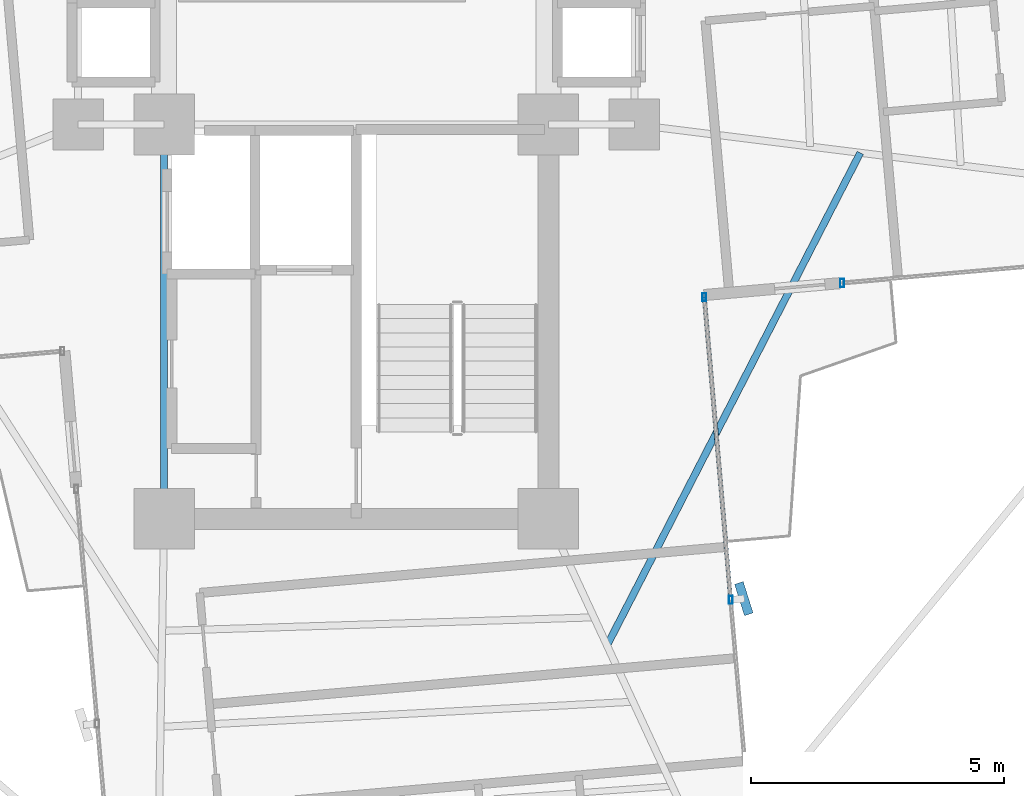
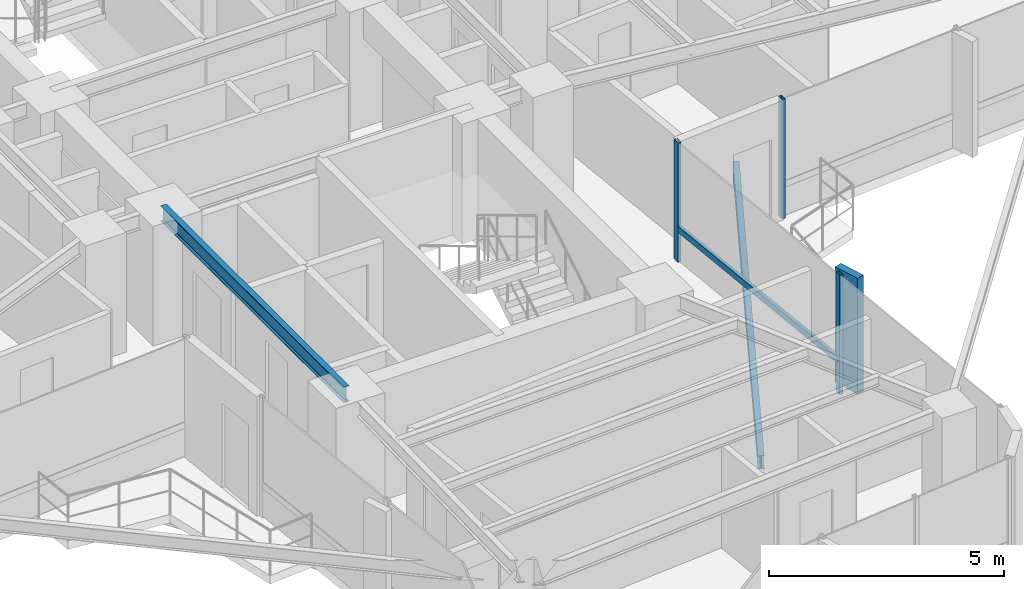
# One storey, part 7 of 24: 5 members, 2 beams, 2 elements without a shape of their own.
"""IFC4 building model written with IfcOpenShell, lengths in metres."""

import ifcopenshell
import ifcopenshell.guid

model = None  # the IFC model being written
_history = None  # IfcOwnerHistory: only IFC2X3 demands one
_inside = {}  # id of a spatial element -> (the spatial element, [elements in it])
_under = {}  # id of a project, library or spatial element -> (it, [spatial elements below it])
_declared = {}  # id of a project -> (the project, [libraries it declares])
_typed = {}  # id of a type object -> (the type object, [elements of that type])
_made_of = {}  # id of a material, layer set ... -> (it, [elements and type objects made of it])


def new_model(schema):
    """Start an empty IFC model of exactly this schema.

    Asked for "IFC4X3", IfcOpenShell would pick the latest addendum, in which some entities
    have other attributes; the version numbers below select the first issue.
    IFC2X3 requires an IfcOwnerHistory on every rooted entity: one is made here for all.
    """
    global model, _history
    if schema == "IFC4X3":
        model = ifcopenshell.file(schema_version=(4, 3, 0, 0))
    else:
        model = ifcopenshell.file(schema=schema)
    _inside.clear()
    _under.clear()
    _declared.clear()
    _typed.clear()
    _made_of.clear()
    _history = None
    if model.schema == "IFC2X3":
        org = make("IfcOrganization", Name="unknown")
        user = make(
            "IfcPersonAndOrganization",
            ThePerson=make("IfcPerson", FamilyName="unknown"),
            TheOrganization=org,
        )
        app = make(
            "IfcApplication",
            ApplicationDeveloper=org,
            Version="unknown",
            ApplicationFullName="unknown",
            ApplicationIdentifier="unknown",
        )
        _history = make(
            "IfcOwnerHistory",
            OwningUser=user,
            OwningApplication=app,
            ChangeAction="ADDED",
            CreationDate=0,
        )
    return model


def make(cls, **values):
    """One entity of the class cls with the attributes given. An attribute that is None is left unset."""
    return model.create_entity(
        cls, **{name: value for name, value in values.items() if value is not None}
    )


def rooted(cls, **values):
    """An entity with a GlobalId (a new one), such as an element, a storey or a relation."""
    return make(cls, GlobalId=ifcopenshell.guid.new(), OwnerHistory=_history, **values)


def si_unit(unit_type, name, prefix=None):
    """IfcSIUnit, for example si_unit("LENGTHUNIT", "METRE", prefix="MILLI")."""
    return make("IfcSIUnit", UnitType=unit_type, Prefix=prefix, Name=name)


def assignment(units):
    """IfcUnitAssignment: the units of a project."""
    return None if units is None else make("IfcUnitAssignment", Units=units)


def point(xyz):
    """IfcCartesianPoint."""
    return None if xyz is None else make("IfcCartesianPoint", Coordinates=xyz)


def direction(xyz):
    """IfcDirection."""
    return None if xyz is None else make("IfcDirection", DirectionRatios=xyz)


def frame(location, z_axis=None, x_axis=None):
    """IfcAxis2Placement3D, a coordinate frame: its origin and axes. An axis left out is left unset."""
    return make(
        "IfcAxis2Placement3D",
        Location=point(location),
        Axis=direction(z_axis),
        RefDirection=direction(x_axis),
    )


def frame_2d(location, x_axis=None):
    """IfcAxis2Placement2D, a coordinate frame in the plane: its origin and x axis."""
    return make(
        "IfcAxis2Placement2D", Location=point(location), RefDirection=direction(x_axis)
    )


def origin():
    """The frame at (0, 0, 0) with its axes left unset."""
    return frame((0.0, 0.0, 0.0))


def origin_2d():
    """The frame at (0, 0) in the plane with its x axis left unset."""
    return frame_2d((0.0, 0.0))


def place(relative_to, where):
    """IfcLocalPlacement: puts the frame where relative to a parent placement (None: the world)."""
    return make(
        "IfcLocalPlacement", PlacementRelTo=relative_to, RelativePlacement=where
    )


def context(
    kind, dimensions, precision=None, world=None, true_north=None, identifier=None
):
    """IfcGeometricRepresentationContext, for example the 3D "Model" context."""
    return make(
        "IfcGeometricRepresentationContext",
        ContextIdentifier=identifier,
        ContextType=kind,
        CoordinateSpaceDimension=dimensions,
        Precision=precision,
        WorldCoordinateSystem=world,
        TrueNorth=true_north,
    )


def subcontext(parent, identifier, kind, view, scale=None):
    """IfcGeometricRepresentationSubContext, for example "Body" below "Model"."""
    return make(
        "IfcGeometricRepresentationSubContext",
        ContextIdentifier=identifier,
        ContextType=kind,
        ParentContext=parent,
        TargetScale=scale,
        TargetView=view,
    )


def project(units=None, contexts=None):
    """IfcProject with its units and contexts."""
    return rooted(
        "IfcProject",
        Name="project",
        RepresentationContexts=contexts,
        UnitsInContext=assignment(units),
    )


def spatial(cls, under=None, at=None, **own):
    """A site, building, storey or space (cls), placed at a placement, below another one or the project."""
    s = rooted(cls, ObjectPlacement=at, **own)
    if under is not None:
        _under.setdefault(under.id(), (under, []))[1].append(s)
    return s


def profile(cls, at=None, kind="AREA", **sizes):
    """A parametric profile (cls). Its sizes go by their IFC names, for example OverallWidth=200.0."""
    return make(cls, ProfileType=kind, Position=at, **sizes)


def rectangle(**sizes):
    """IfcRectangleProfileDef."""
    return profile("IfcRectangleProfileDef", **sizes)


def hollow_rectangle(**sizes):
    """IfcRectangleHollowProfileDef."""
    return profile("IfcRectangleHollowProfileDef", **sizes)


def i_section(**sizes):
    """IfcIShapeProfileDef."""
    return profile("IfcIShapeProfileDef", **sizes)


def extrude(swept, where, along, depth):
    """IfcExtrudedAreaSolid: the profile swept, set in the frame where, extruded along a direction by depth."""
    return make(
        "IfcExtrudedAreaSolid",
        SweptArea=swept,
        Position=where,
        ExtrudedDirection=direction(along),
        Depth=depth,
    )


def shape(context_of_items, identifier, shape_type, items):
    """IfcShapeRepresentation: the items that make up one representation, for example the "Body"."""
    return make(
        "IfcShapeRepresentation",
        ContextOfItems=context_of_items,
        RepresentationIdentifier=identifier,
        RepresentationType=shape_type,
        Items=items,
    )


def source(mapping_origin, context_of_items, identifier, shape_type, items):
    """IfcRepresentationMap: a shape defined once, which mapped items show again and again."""
    return make(
        "IfcRepresentationMap",
        MappingOrigin=mapping_origin,
        MappedRepresentation=shape(context_of_items, identifier, shape_type, items),
    )


def transform(
    local_origin,
    x_axis=None,
    y_axis=None,
    z_axis=None,
    scale=None,
    scale2=None,
    scale3=None,
    uniform=True,
):
    """IfcCartesianTransformationOperator3D, or its non-uniform kind. x_axis, y_axis, z_axis: its Axis1, 2, 3."""
    if uniform:
        return make(
            "IfcCartesianTransformationOperator3D",
            Axis1=direction(x_axis),
            Axis2=direction(y_axis),
            LocalOrigin=point(local_origin),
            Scale=scale,
            Axis3=direction(z_axis),
        )
    return make(
        "IfcCartesianTransformationOperator3DnonUniform",
        Axis1=direction(x_axis),
        Axis2=direction(y_axis),
        LocalOrigin=point(local_origin),
        Scale=scale,
        Axis3=direction(z_axis),
        Scale2=scale2,
        Scale3=scale3,
    )


def mapped(mapping_source, mapping_target):
    """IfcMappedItem: shows the shape of a source again, moved by a transform."""
    return make(
        "IfcMappedItem", MappingSource=mapping_source, MappingTarget=mapping_target
    )


def material(Name=None, Category=None):
    """IfcMaterial."""
    return make("IfcMaterial", Name=Name, Category=Category)


def material_profile(
    of_material, cross_section, Name=None, Category=None, Priority=None
):
    """IfcMaterialProfile: a cross section and its material."""
    return make(
        "IfcMaterialProfile",
        Name=Name,
        Material=of_material,
        Profile=cross_section,
        Priority=Priority,
        Category=Category,
    )


def profile_set(profiles, Name=None, composite=None):
    """IfcMaterialProfileSet."""
    return make(
        "IfcMaterialProfileSet",
        Name=Name,
        MaterialProfiles=profiles,
        CompositeProfile=composite,
    )


def made_of(thing, what):
    """Note that an element or type object is made of a material, layer set ...; save() writes the relation."""
    if what is not None:
        _made_of.setdefault(what.id(), (what, []))[1].append(thing)
    return thing


def type_object(cls, material=None, **own):
    """A type object (cls), such as IfcWallType, which elements share."""
    return made_of(rooted(cls, **own), material)


def element(
    cls,
    number,
    at=None,
    inside=None,
    cuts=None,
    type_object=None,
    material=None,
    context=None,
    identifier="Body",
    shape_type=None,
    held_by="IfcProductDefinitionShape",
    body=None,
    shapes=None,
    **own,
):
    """One element of the class cls, such as IfcWall. Its Tag is "e" and its number.

    at: its placement. inside: the storey or other place that contains it. cuts: it is an
    opening in that element (IfcRelVoidsElement). A single representation is given by context,
    identifier, shape_type and body (its items); several are given by shapes. held_by: the class
    of the entity that holds the representations. save() writes the other relations.
    """
    e = rooted(cls, Tag="e%d" % number, ObjectPlacement=at, **own)
    if body is not None:
        shapes = [shape(context, identifier, shape_type, body)]
    if shapes is not None:
        e.Representation = make(held_by, Representations=shapes)
    if inside is not None:
        _inside.setdefault(inside.id(), (inside, []))[1].append(e)
    if cuts is not None:
        rooted(
            "IfcRelVoidsElement", RelatingBuildingElement=cuts, RelatedOpeningElement=e
        )
    if type_object is not None:
        _typed.setdefault(type_object.id(), (type_object, []))[1].append(e)
    return made_of(e, material)


def aggregate(whole, parts):
    """IfcRelAggregates: a whole, such as a stair, and the parts it consists of."""
    return rooted("IfcRelAggregates", RelatingObject=whole, RelatedObjects=parts)


def save(model, path):
    """Write the relations noted so far, then the file.

    IfcRelAggregates (storeys below a building ...), IfcRelContainedInSpatialStructure (elements
    in a storey), IfcRelDefinesByType, IfcRelAssociatesMaterial and IfcRelDeclares: one each for
    every whole, place, type object, material and project.
    """
    for whole, parts in _under.values():
        aggregate(whole, parts)
    for where, things in _inside.values():
        rooted(
            "IfcRelContainedInSpatialStructure",
            RelatedElements=things,
            RelatingStructure=where,
        )
    for kind, things in _typed.values():
        rooted("IfcRelDefinesByType", RelatedObjects=things, RelatingType=kind)
    for what, things in _made_of.values():
        rooted("IfcRelAssociatesMaterial", RelatedObjects=things, RelatingMaterial=what)
    for by, libraries in _declared.values():
        rooted("IfcRelDeclares", RelatingContext=by, RelatedDefinitions=libraries)
    model.write(path)


model = new_model("IFC4")

# Units and contexts
model_context = context("Model", 3, precision=1e-05, world=origin(), true_north=direction((0.0, 1.0)))
body_context = subcontext(model_context, "Body", "Model", "MODEL_VIEW")
ifc_project = project(units=[si_unit("LENGTHUNIT", "METRE"), si_unit("AREAUNIT", "SQUARE_METRE"), si_unit("VOLUMEUNIT", "CUBIC_METRE"), si_unit("PLANEANGLEUNIT", "RADIAN"), si_unit("MASSUNIT", "GRAM", prefix="KILO")], contexts=[model_context])

# Site, building, storey
site_placement = place(None, origin())
site = spatial("IfcSite", under=ifc_project, at=site_placement, CompositionType="ELEMENT")
building_placement = place(site_placement, origin())
building = spatial("IfcBuilding", under=site, at=building_placement, Name="Sahyath Konkavel Grand Hotel", CompositionType="ELEMENT")
storey_placement = place(building_placement, frame((0.0, 0.0, 147.25)))
storey = spatial("IfcBuildingStorey", under=building, at=storey_placement, Name="L40", CompositionType="ELEMENT", Elevation=147.25)

# Beam
ifc_material_1 = material(Name="Steel E350", Category="steel")
ifc_material_profile_1 = material_profile(ifc_material_1, i_section(OverallWidth=0.139892578125, OverallDepth=0.39990234375, WebThickness=0.0087890625, FlangeThickness=0.01611328125, FilletRadius=0.013916015625, at=origin_2d()), Name="ISMB 400")
ifc_profile_set_1 = profile_set([ifc_material_profile_1], Name="Steel E350")
beam_type_1 = type_object("IfcBeamType", Name="BM-ISMB400", PredefinedType="BEAM", material=ifc_profile_set_1)
shared_shape_1 = source(origin(), body_context, "Body", "SweptSolid", [
    extrude(i_section(OverallWidth=0.139892578125, OverallDepth=0.39990234375, WebThickness=0.0087890625, FlangeThickness=0.01611328125, FilletRadius=0.013916015625, at=origin_2d()), origin(), (0.0, 0.0, 1.0), 7.800048828125),
])
beam_1_placement = place(storey_placement, frame((-3.800048828125, -10.199951171875, 2.909912109375), z_axis=(0.0, 1.0, 0.0), x_axis=(-1.0, 0.0, 0.0)))
element("IfcBeam", 1, at=beam_1_placement, inside=storey, type_object=beam_type_1, Name="str:bm:L40:SC-W", PredefinedType="BEAM", context=body_context, shape_type="MappedRepresentation", body=[
    mapped(shared_shape_1, transform((0.0, 0.0, 0.0), scale=1.0)),
])

# Curtain wall, member
ifc_material_2 = material(Name="Anodised Bronze Aluminium & Low-E Glazing", Category="aluminium")
curtain_wall_type = type_object("IfcCurtainWallType", Name="CW-ZONE3", PredefinedType="NOTDEFINED", material=ifc_material_2)
curtain_wall_1_placement = place(storey_placement, origin())
curtain_wall_1 = element("IfcCurtainWall", 2, at=curtain_wall_1_placement, inside=storey, type_object=curtain_wall_type, Name="L40 Unitised Curtain Wall F31", PredefinedType="NOTDEFINED")
ifc_material_3 = material(Name="Warm Buff Sandstone Cladding on Concrete C50/60", Category="masonry")
ifc_material_profile_2 = material_profile(ifc_material_3, rectangle(XDim=0.179931640625, YDim=0.64990234375, at=origin_2d()), Name="FIN 180x650")
ifc_profile_set_2 = profile_set([ifc_material_profile_2], Name="Warm Buff Sandstone Cladding on Concrete C50/60")
member_type_1 = type_object("IfcMemberType", Name="FIN-SANDSTONE-650", PredefinedType="MULLION", material=ifc_profile_set_2)
shared_shape_2 = source(origin(), body_context, "Body", "SweptSolid", [
    extrude(rectangle(XDim=0.179931640625, YDim=0.64990234375, at=origin_2d()), origin(), (0.0, 0.0, 1.0), 3.010009765625),
])
member_1_placement = place(storey_placement, frame((7.66552734375, -11.776611328125, 0.050048828125), z_axis=(0.0, 0.0, 1.0), x_axis=(0.953716950748, 0.300705799504, 0.0)))
member_1 = element("IfcMember", 3, at=member_1_placement, type_object=member_type_1, Name="L40 Sandstone Vertical Solar Fin FIN F31-1", PredefinedType="MULLION", context=body_context, shape_type="MappedRepresentation", body=[
    mapped(shared_shape_2, transform((0.0, 0.0, 0.0), scale=1.0)),
])

curtain_wall_2_placement = place(storey_placement, origin())
curtain_wall_2 = element("IfcCurtainWall", 4, at=curtain_wall_2_placement, inside=storey, type_object=curtain_wall_type, Name="L40 Unitised Curtain Wall F0", PredefinedType="NOTDEFINED")
ifc_material_4 = material(Name="Anodised Bronze Aluminium", Category="aluminium")
ifc_material_profile_3 = material_profile(ifc_material_4, hollow_rectangle(XDim=0.080078125, YDim=0.159912109375, WallThickness=0.006103515625, at=origin_2d()), Name="RHS 160x80x6")
ifc_profile_set_3 = profile_set([ifc_material_profile_3], Name="Anodised Bronze Aluminium")
member_type_2 = type_object("IfcMemberType", Name="CW-MUL-160", PredefinedType="MULLION", material=ifc_profile_set_3)
shared_shape_3 = source(origin(), body_context, "Body", "SweptSolid", [
    extrude(hollow_rectangle(XDim=0.080078125, YDim=0.159912109375, WallThickness=0.006103515625, at=origin_2d()), origin(), (0.0, 0.0, 1.0), 3.110107421875),
])
member_2_placement = place(storey_placement, frame((9.60888671875, -5.53369140625, 0.0), z_axis=(0.0, 0.0, 1.0), x_axis=(1.0, 0.0, 0.0)))
member_2 = element("IfcMember", 5, at=member_2_placement, type_object=member_type_2, Name="L40 Curtain Wall Mullion F0-0", PredefinedType="MULLION", context=body_context, shape_type="MappedRepresentation", body=[
    mapped(shared_shape_3, transform((0.0, 0.0, 0.0), scale=1.0)),
])
aggregate(curtain_wall_2, [member_2])

# Member
member_3_placement = place(storey_placement, frame((7.406494140625, -11.79931640625, 0.0), z_axis=(0.0, 0.0, 1.0), x_axis=(1.0, 0.0, 0.0)))
member_3 = element("IfcMember", 6, at=member_3_placement, type_object=member_type_2, Name="L40 Curtain Wall Mullion F31-1", PredefinedType="MULLION", context=body_context, shape_type="MappedRepresentation", body=[
    mapped(shared_shape_3, transform((0.0, 0.0, 0.0), scale=1.0)),
])

member_4_placement = place(storey_placement, frame((6.8828125, -5.812255859375, 0.0), z_axis=(0.0, 0.0, 1.0), x_axis=(1.0, 0.0, 0.0)))
member_4 = element("IfcMember", 7, at=member_4_placement, type_object=member_type_2, Name="L40 Curtain Wall Mullion F31-2", PredefinedType="MULLION", context=body_context, shape_type="MappedRepresentation", body=[
    mapped(shared_shape_3, transform((0.0, 0.0, 0.0), scale=1.0)),
])

ifc_material_profile_4 = material_profile(ifc_material_4, hollow_rectangle(XDim=0.080078125, YDim=0.159912109375, WallThickness=0.006103515625, at=origin_2d()), Name="RHS 160x80x6")
ifc_profile_set_4 = profile_set([ifc_material_profile_4], Name="Anodised Bronze Aluminium")
member_type_3 = type_object("IfcMemberType", Name="CW-TRN-160", PredefinedType="USERDEFINED", material=ifc_profile_set_4)
shared_shape_4 = source(origin(), body_context, "Body", "SweptSolid", [
    extrude(hollow_rectangle(XDim=0.080078125, YDim=0.159912109375, WallThickness=0.006103515625, at=origin_2d()), origin(), (0.0, 0.0, 1.0), 6.010009765625),
])
member_5_placement = place(storey_placement, frame((7.406494140625, -11.79931640625, 0.85009765625), z_axis=(-0.087136210597, 0.996196406741, 0.0), x_axis=(-0.996196406741, -0.087136210597, 0.0)))
member_5 = element("IfcMember", 8, at=member_5_placement, type_object=member_type_3, Name="L40 Curtain Wall Transom F31-1-spandrel", ObjectType="TRANSOM", PredefinedType="USERDEFINED", context=body_context, shape_type="MappedRepresentation", body=[
    mapped(shared_shape_4, transform((0.0, 0.0, 0.0), scale=1.0)),
])

aggregate(curtain_wall_1, [member_3, member_1, member_4, member_5])

# Beam
ifc_material_profile_5 = material_profile(ifc_material_1, i_section(OverallWidth=0.139892578125, OverallDepth=0.35009765625, WebThickness=0.008056640625, FlangeThickness=0.01416015625, FilletRadius=0.013916015625, at=origin_2d()), Name="ISMB 350")
ifc_profile_set_5 = profile_set([ifc_material_profile_5], Name="Steel E350")
beam_type_2 = type_object("IfcBeamType", Name="BM-BALC-CANT", PredefinedType="BEAM", material=ifc_profile_set_5)
shared_shape_5 = source(origin(), body_context, "Body", "SweptSolid", [
    extrude(i_section(OverallWidth=0.139892578125, OverallDepth=0.35009765625, WebThickness=0.008056640625, FlangeThickness=0.01416015625, FilletRadius=0.013916015625, at=origin_2d()), origin(), (0.0, 0.0, 1.0), 10.95556640625),
])
beam_2_placement = place(storey_placement, frame((4.959716796875, -12.703125, -0.4150390625), z_axis=(0.457186878355, 0.889370652912, 0.0), x_axis=(-0.889370652912, 0.457186878355, 0.0)))
element("IfcBeam", 9, at=beam_2_placement, inside=storey, type_object=beam_type_2, Name="L40 Balcony Cantilever Support Beam SE", PredefinedType="BEAM", context=body_context, shape_type="MappedRepresentation", body=[
    mapped(shared_shape_5, transform((0.0, 0.0, 0.0), scale=1.0)),
])

save(model, "model.ifc")
